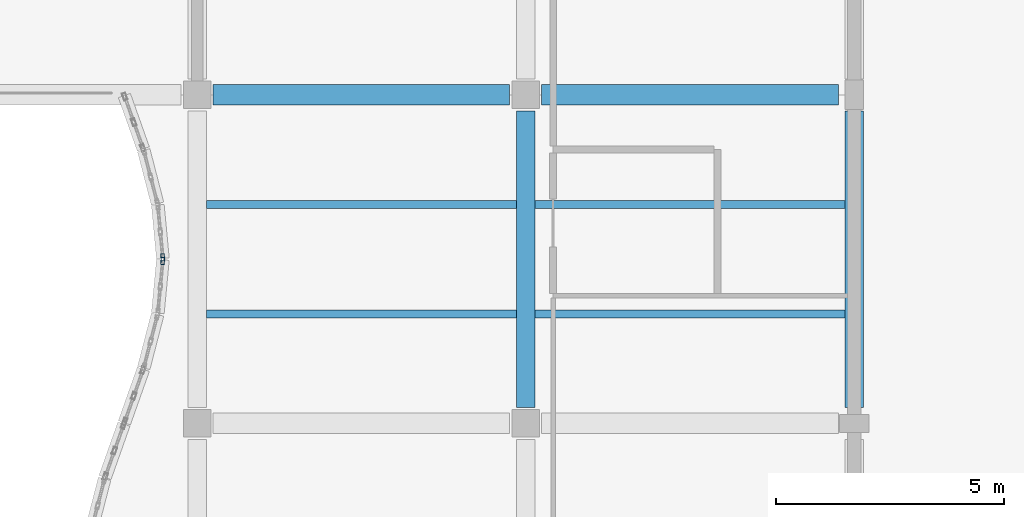
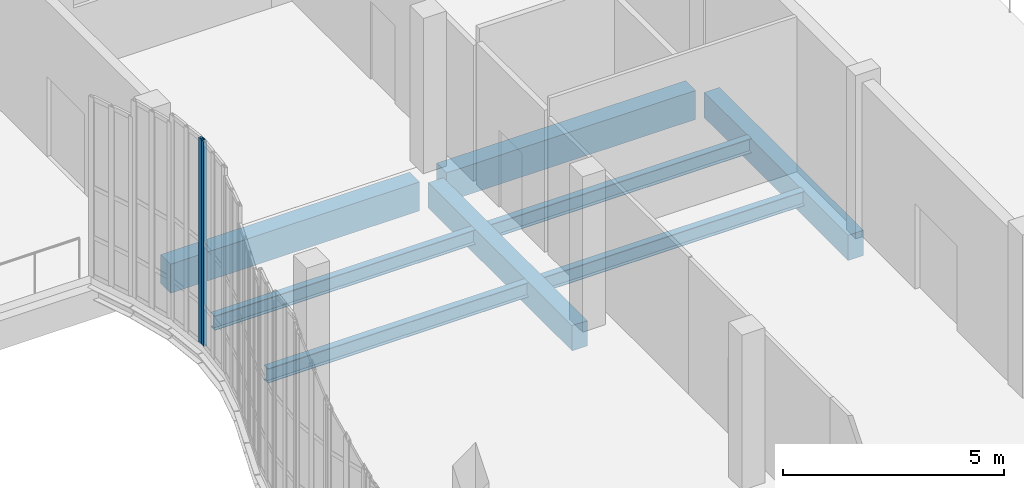
# One storey, part 39 of 105: 8 beams, 2 members, 2 elements without a shape of their own.
"""IFC4 building model written with IfcOpenShell, lengths in metres."""

from ifc_helpers import new_model, si_unit, direction, frame, origin, origin_2d, place, context, subcontext, project, spatial, rectangle, hollow_rectangle, i_section, extrude, material, layer, layer_set, material_profile, profile_set, type_object, element, aggregate, save


model = new_model("IFC4")

# Units and contexts
model_context = context("Model", 3, precision=1e-05, world=origin(), true_north=direction((0.0, 1.0)))
body_context = subcontext(model_context, "Body", "Model", "MODEL_VIEW")
ifc_project = project(units=[si_unit("LENGTHUNIT", "METRE"), si_unit("AREAUNIT", "SQUARE_METRE"), si_unit("VOLUMEUNIT", "CUBIC_METRE"), si_unit("PLANEANGLEUNIT", "RADIAN"), si_unit("MASSUNIT", "GRAM", prefix="KILO"), si_unit("THERMODYNAMICTEMPERATUREUNIT", "KELVIN"), si_unit("POWERUNIT", "WATT")], contexts=[model_context])

# Site, building, storey
site_placement = place(None, origin())
site = spatial("IfcSite", under=ifc_project, at=site_placement, CompositionType="ELEMENT")
building_placement = place(site_placement, origin())
building = spatial("IfcBuilding", under=site, at=building_placement, Name="Kaldorven Railside Theatre", CompositionType="ELEMENT")
storey_placement = place(building_placement, frame((0.0, 0.0, 9.89990234375)))
storey = spatial("IfcBuildingStorey", under=building, at=storey_placement, Name="L02", CompositionType="ELEMENT", Elevation=9.89990234375)

# Beams
ifc_material_1 = material(Name="Steel S355", Category="steel")
ifc_material_profile_1 = material_profile(ifc_material_1, i_section(OverallWidth=0.179931640625, OverallDepth=0.39990234375, WebThickness=0.008544921875, FlangeThickness=0.013427734375, at=origin_2d()), Name="IPE 400")
ifc_profile_set_1 = profile_set([ifc_material_profile_1], Name="Steel S355")
beam_type_1 = type_object("IfcBeamType", Name="BM-IPE400", PredefinedType="JOIST", material=ifc_profile_set_1)
for number, where, z_axis, x_axis, name in (
    (1, (73.0, 64.800048828125, -0.449951171875), (1.0, 0.0, 0.0), (0.0, 1.0, 0.0), "L02 Secondary Floor Joist JG-L02-072-0648"),
    (2, (73.0, 67.199951171875, -0.449951171875), (1.0, 0.0, 0.0), (0.0, 1.0, 0.0), "L02 Secondary Floor Joist JG-L02-072-0672"),
    (3, (80.199951171875, 64.800048828125, -0.449951171875), (1.0, 0.0, 0.0), (0.0, 1.0, 0.0), "L02 Secondary Floor Joist JG-L02-080-0648"),
    (4, (80.199951171875, 67.199951171875, -0.449951171875), (1.0, 0.0, 0.0), (0.0, 1.0, 0.0), "L02 Secondary Floor Joist JG-L02-080-0672"),
):
    element("IfcBeam", number, at=place(storey_placement, frame(where, z_axis=z_axis, x_axis=x_axis)), inside=storey, type_object=beam_type_1, Name=name, PredefinedType="JOIST", context=body_context, shape_type="SweptSolid", body=[
        extrude(i_section(OverallWidth=0.179931640625, OverallDepth=0.39990234375, WebThickness=0.008544921875, FlangeThickness=0.013427734375, at=origin_2d()), origin(), (0.0, 0.0, 1.0), 6.800048828125),
    ])
ifc_material_2 = material(Name="Concrete C40/50", Category="concrete")
ifc_material_profile_2 = material_profile(ifc_material_2, rectangle(XDim=0.39990234375, YDim=0.699951171875, at=origin_2d()), Name="RC 400x700")
ifc_profile_set_2 = profile_set([ifc_material_profile_2], Name="Concrete C40/50")
beam_type_2 = type_object("IfcBeamType", Name="BM-RC400x700", PredefinedType="BEAM", material=ifc_profile_set_2)
for number, where, z_axis, x_axis, name in (
    (5, (80.0, 62.75, -0.599853515625), (0.0, 1.0, 0.0), (-1.0, 0.0, 0.0), "L02 Girder BGY-L02-080-062-72"),
    (6, (87.199951171875, 62.75, -0.6298828125), (0.0, 1.0, 0.0), (-1.0, 0.0, 0.0), "L02 Girder BGY-L02-087-062-72"),
):
    element("IfcBeam", number, at=place(storey_placement, frame(where, z_axis=z_axis, x_axis=x_axis)), inside=storey, type_object=beam_type_2, Name=name, PredefinedType="BEAM", context=body_context, shape_type="SweptSolid", body=[
        extrude(rectangle(XDim=0.39990234375, YDim=0.699951171875, at=origin_2d()), origin(), (0.0, 0.0, 1.0), 6.5),
    ])
ifc_material_profile_3 = material_profile(ifc_material_2, rectangle(XDim=0.449951171875, YDim=0.800048828125, at=origin_2d()), Name="RC 450x800")
ifc_profile_set_3 = profile_set([ifc_material_profile_3], Name="Concrete C40/50")
beam_type_3 = type_object("IfcBeamType", Name="BM-RC450x800", PredefinedType="BEAM", material=ifc_profile_set_3)
for number, where, z_axis, x_axis, name in (
    (7, (73.14990234375, 69.60009765625, -0.64990234375), (1.0, 0.0, 0.0), (0.0, 1.0, 0.0), "L02 Girder BGX-L02-072-069"),
    (8, (80.35009765625, 69.60009765625, -0.64990234375), (1.0, 0.0, 0.0), (0.0, 1.0, 0.0), "L02 Girder BGX-L02-080-069"),
):
    element("IfcBeam", number, at=place(storey_placement, frame(where, z_axis=z_axis, x_axis=x_axis)), inside=storey, type_object=beam_type_3, Name=name, PredefinedType="BEAM", context=body_context, shape_type="SweptSolid", body=[
        extrude(rectangle(XDim=0.449951171875, YDim=0.800048828125, at=origin_2d()), origin(), (0.0, 0.0, 1.0), 6.5),
    ])

# Curtain wall, member
ifc_material_3 = material(Name="Low-E laminated solar-control glass", Category="glass")
ifc_layer = layer(ifc_material_3, 0.159912109375, Name="Low-E laminated solar-control glass")
ifc_layer_set = layer_set([ifc_layer], Name="Low-E laminated solar-control glass")
curtain_wall_type = type_object("IfcCurtainWallType", Name="CWT-24", PredefinedType="USERDEFINED", material=ifc_layer_set)
curtain_wall_1_placement = place(storey_placement, origin())
curtain_wall_1 = element("IfcCurtainWall", 9, at=curtain_wall_1_placement, inside=storey, type_object=curtain_wall_type, Name="Sinusoidal Fluted Curtain Wall CW-L02-W21", ObjectType="FLUTED GLAZING", PredefinedType="USERDEFINED")
ifc_material_4 = material(Name="Anodised bronze aluminium", Category="aluminium")
ifc_material_profile_4 = material_profile(ifc_material_4, hollow_rectangle(XDim=0.080078125, YDim=0.159912109375, WallThickness=0.00634765625, at=origin_2d()), Name="RHS 160x80x6.3")
ifc_profile_set_4 = profile_set([ifc_material_profile_4], Name="Anodised bronze aluminium")
member_type = type_object("IfcMemberType", Name="CWM-160", PredefinedType="MULLION", material=ifc_profile_set_4)
member_1_placement = place(storey_placement, frame((72.046142578125, 65.960205078125, 0.0), z_axis=(0.0, 0.0, 1.0), x_axis=(-0.995525623425, 0.094491973758, 0.0)))
member_1 = element("IfcMember", 10, at=member_1_placement, type_object=member_type, Name="CW-L02-W21 mullion 3", PredefinedType="MULLION", context=body_context, shape_type="SweptSolid", body=[
    extrude(hollow_rectangle(XDim=0.080078125, YDim=0.159912109375, WallThickness=0.00634765625, at=origin_2d()), origin(), (0.0, 0.0, 1.0), 5.64013671875),
])
aggregate(curtain_wall_1, [member_1])

curtain_wall_2_placement = place(storey_placement, origin())
curtain_wall_2 = element("IfcCurtainWall", 11, at=curtain_wall_2_placement, inside=storey, type_object=curtain_wall_type, Name="Sinusoidal Fluted Curtain Wall CW-L02-W22", ObjectType="FLUTED GLAZING", PredefinedType="USERDEFINED")
member_2_placement = place(storey_placement, frame((72.046142578125, 66.039794921875, 0.0), z_axis=(0.0, 0.0, 1.0), x_axis=(-0.995525623425, -0.094491973758, 0.0)))
member_2 = element("IfcMember", 12, at=member_2_placement, type_object=member_type, Name="CW-L02-W22 mullion 1", PredefinedType="MULLION", context=body_context, shape_type="SweptSolid", body=[
    extrude(hollow_rectangle(XDim=0.080078125, YDim=0.159912109375, WallThickness=0.00634765625, at=origin_2d()), origin(), (0.0, 0.0, 1.0), 5.64013671875),
])
aggregate(curtain_wall_2, [member_2])

save(model, "model.ifc")
